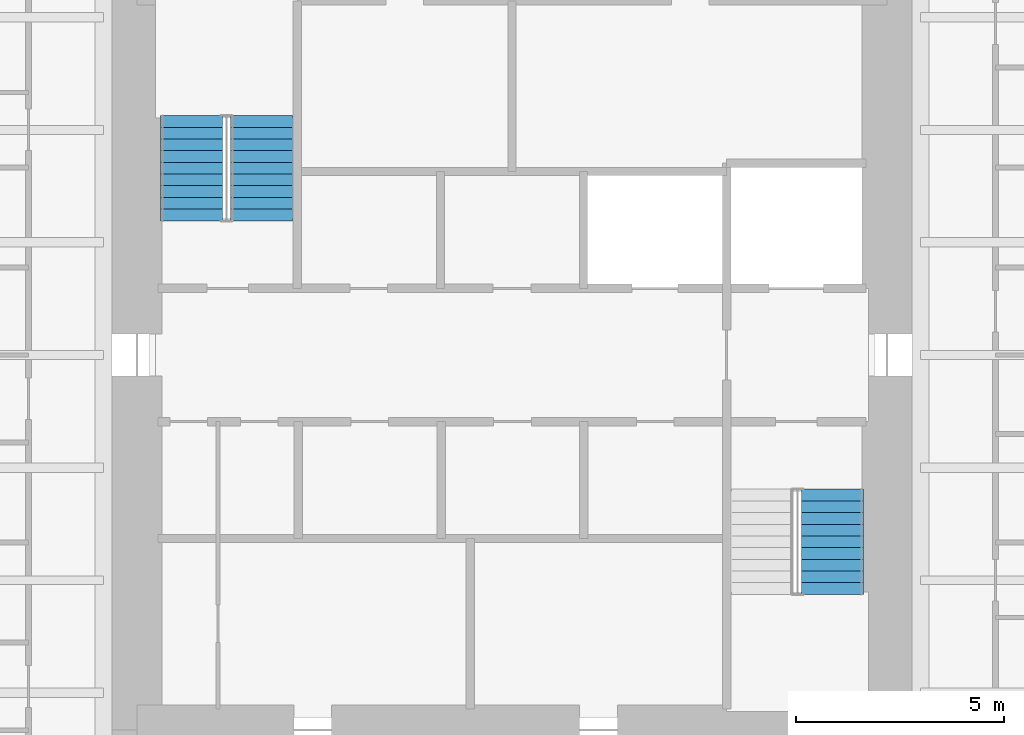
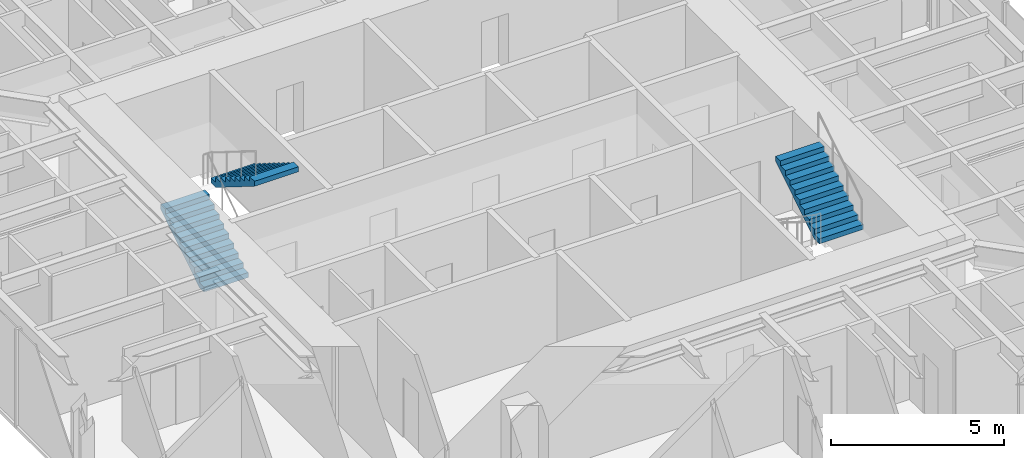
# One storey, part 9 of 10: 3 stair flights, 2 elements without a shape of their own.
"""IFC4 building model written with IfcOpenShell, lengths in metres."""

from ifc_helpers import new_model, si_unit, direction, frame, origin, place, context, subcontext, project, spatial, polyline, outline, extrude, material, constituent, constituent_set, type_object, element, aggregate, save


model = new_model("IFC4")

# Units and contexts
model_context = context("Model", 3, precision=1e-05, world=origin(), true_north=direction((0.0, 1.0)))
body_context = subcontext(model_context, "Body", "Model", "MODEL_VIEW")
ifc_project = project(units=[si_unit("LENGTHUNIT", "METRE"), si_unit("AREAUNIT", "SQUARE_METRE"), si_unit("VOLUMEUNIT", "CUBIC_METRE"), si_unit("PLANEANGLEUNIT", "RADIAN"), si_unit("MASSUNIT", "GRAM", prefix="KILO")], contexts=[model_context])

# Site, building, storey
site_placement = place(None, origin())
site = spatial("IfcSite", under=ifc_project, at=site_placement, CompositionType="ELEMENT")
building_placement = place(site_placement, origin())
building = spatial("IfcBuilding", under=site, at=building_placement, Name="Iwan Alto Co-Living Towers", CompositionType="ELEMENT")
storey_placement = place(building_placement, frame((0.0, 0.0, 218.5)))
storey = spatial("IfcBuildingStorey", under=building, at=storey_placement, Name="L59", CompositionType="ELEMENT", Elevation=218.5)

# Stair, stair flights
ifc_material_1 = material(Name="Steel ASTM A36", Category="steel")
ifc_constituent_1 = constituent(ifc_material_1, Name="Stringers", Category="LoadBearing")
ifc_material_2 = material(Name="Concrete f'c 30 MPa", Category="concrete")
ifc_constituent_2 = constituent(ifc_material_2, Name="Tread fill", Category="Finish")
ifc_constituent_set_1 = constituent_set(constituents=[ifc_constituent_1, ifc_constituent_2], Name="STAIR 3500 TWO-FLIGHT T1 CORE")
stair_type = type_object("IfcStairType", Name="STAIR 3500 TWO-FLIGHT T1 CORE", PredefinedType="HALF_TURN_STAIR", material=ifc_constituent_set_1)
stair_1_placement = place(storey_placement, origin())
stair_1 = element("IfcStair", 1, at=stair_1_placement, inside=storey, type_object=stair_type, Name="Stair T1-S1 L59 to L60", PredefinedType="HALF_TURN_STAIR")
ifc_constituent_3 = constituent(ifc_material_1, Name="Stringers", Category="LoadBearing")
ifc_constituent_4 = constituent(ifc_material_2, Name="Tread fill", Category="Finish")
ifc_constituent_set_2 = constituent_set(constituents=[ifc_constituent_3, ifc_constituent_4], Name="STAIR FLIGHT 10 RISERS 280 GOING")
stair_flight_type = type_object("IfcStairFlightType", Name="STAIR FLIGHT 10 RISERS 280 GOING", PredefinedType="STRAIGHT", material=ifc_constituent_set_2)
stair_flight_1_placement = place(storey_placement, frame((-7.68994140625, 3.219970703125, 0.0), z_axis=(0.0, 0.0, 1.0), x_axis=(0.0, 1.0, 0.0)))
stair_flight_1 = element("IfcStairFlight", 2, at=stair_flight_1_placement, type_object=stair_flight_type, Name="T1-S1 flight 1", NumberOfRisers=10, NumberOfTreads=9, PredefinedType="STRAIGHT", RiserHeight=0.175, TreadLength=0.28, context=body_context, shape_type="SweptSolid", body=[
    extrude(outline(polyline([(0.0, 0.0), (0.0, 0.175048828125), (0.280029296875, 0.175048828125), (0.280029296875, 0.35009765625), (0.56005859375, 0.35009765625), (0.56005859375, 0.52490234375), (0.840087890625, 0.52490234375), (0.840087890625, 0.699951171875), (1.1201171875, 0.699951171875), (1.1201171875, 0.875), (1.39990234375, 0.875), (1.39990234375, 1.050048828125), (1.679931640625, 1.050048828125), (1.679931640625, 1.22509765625), (1.9599609375, 1.22509765625), (1.9599609375, 1.39990234375), (2.239990234375, 1.39990234375), (2.239990234375, 1.574951171875), (2.52001953125, 1.574951171875), (2.52001953125, 1.75), (2.52001953125, 1.398193359375), (0.28271484375, 0.0), (0.0, 0.0)])), frame((0.0, 0.739990234375, 0.0), z_axis=(0.0, -1.0, 0.0), x_axis=(1.0, 0.0, 0.0)), (0.0, 0.0, 1.0), 1.47998046875),
])
stair_flight_2_placement = place(storey_placement, frame((-6.010009765625, 5.739990234375, 1.75), z_axis=(0.0, 0.0, 1.0), x_axis=(0.0, -1.0, 0.0)))
stair_flight_2 = element("IfcStairFlight", 3, at=stair_flight_2_placement, type_object=stair_flight_type, Name="T1-S1 flight 2", NumberOfRisers=10, NumberOfTreads=9, PredefinedType="STRAIGHT", RiserHeight=0.175, TreadLength=0.28, context=body_context, shape_type="SweptSolid", body=[
    extrude(outline(polyline([(0.0, 0.0), (0.0, 0.175048828125), (0.280029296875, 0.175048828125), (0.280029296875, 0.35009765625), (0.56005859375, 0.35009765625), (0.56005859375, 0.52490234375), (0.840087890625, 0.52490234375), (0.840087890625, 0.699951171875), (1.1201171875, 0.699951171875), (1.1201171875, 0.875), (1.39990234375, 0.875), (1.39990234375, 1.050048828125), (1.679931640625, 1.050048828125), (1.679931640625, 1.22509765625), (1.9599609375, 1.22509765625), (1.9599609375, 1.39990234375), (2.239990234375, 1.39990234375), (2.239990234375, 1.574951171875), (2.52001953125, 1.574951171875), (2.52001953125, 1.75), (2.52001953125, 1.398193359375), (0.28271484375, 0.0), (0.0, 0.0)])), frame((0.0, 0.739990234375, 0.0), z_axis=(0.0, -1.0, 0.0), x_axis=(1.0, 0.0, 0.0)), (0.0, 0.0, 1.0), 1.47998046875),
])
aggregate(stair_1, [stair_flight_1, stair_flight_2])

# Stair, stair flight
stair_2_placement = place(storey_placement, origin())
stair_2 = element("IfcStair", 4, at=stair_2_placement, inside=storey, type_object=stair_type, Name="Stair T1-S2 L59 to L60", PredefinedType="HALF_TURN_STAIR")
stair_flight_3_placement = place(storey_placement, frame((7.68994140625, -5.739990234375, 1.75), z_axis=(0.0, 0.0, 1.0), x_axis=(0.0, 1.0, 0.0)))
stair_flight_3 = element("IfcStairFlight", 5, at=stair_flight_3_placement, type_object=stair_flight_type, Name="T1-S2 flight 2", NumberOfRisers=10, NumberOfTreads=9, PredefinedType="STRAIGHT", RiserHeight=0.175, TreadLength=0.28, context=body_context, shape_type="SweptSolid", body=[
    extrude(outline(polyline([(0.0, 0.0), (0.0, 0.175048828125), (0.280029296875, 0.175048828125), (0.280029296875, 0.35009765625), (0.56005859375, 0.35009765625), (0.56005859375, 0.52490234375), (0.840087890625, 0.52490234375), (0.840087890625, 0.699951171875), (1.1201171875, 0.699951171875), (1.1201171875, 0.875), (1.39990234375, 0.875), (1.39990234375, 1.050048828125), (1.679931640625, 1.050048828125), (1.679931640625, 1.22509765625), (1.9599609375, 1.22509765625), (1.9599609375, 1.39990234375), (2.239990234375, 1.39990234375), (2.239990234375, 1.574951171875), (2.52001953125, 1.574951171875), (2.52001953125, 1.75), (2.52001953125, 1.398193359375), (0.28271484375, 0.0), (0.0, 0.0)])), frame((0.0, 0.739990234375, 0.0), z_axis=(0.0, -1.0, 0.0), x_axis=(1.0, 0.0, 0.0)), (0.0, 0.0, 1.0), 1.47998046875),
])
aggregate(stair_2, [stair_flight_3])

save(model, "model.ifc")
